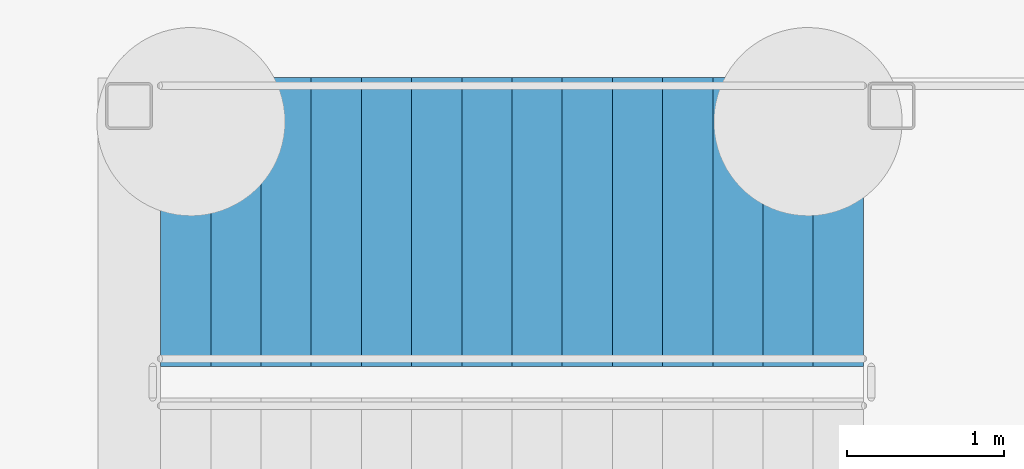
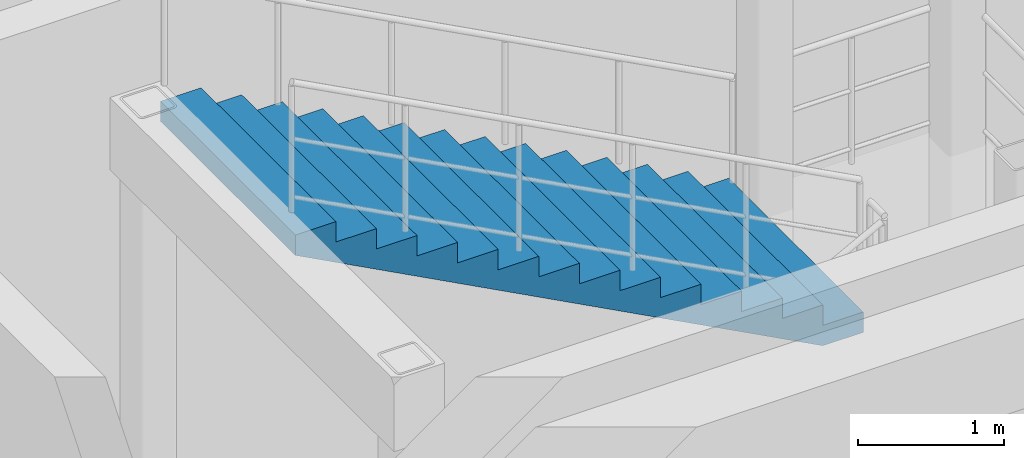
# One storey, part 52 of 62: 1 stair flight, 1 element without a shape of its own.
"""IFC4 building model written with IfcOpenShell, lengths in metres."""

from ifc_helpers import new_model, si_unit, direction, frame, origin, place, context, subcontext, project, spatial, polyline, outline, extrude, material, type_object, element, aggregate, save


model = new_model("IFC4")

# Units and contexts
model_context = context("Model", 3, precision=1e-05, world=origin(), true_north=direction((0.0, 1.0)))
body_context = subcontext(model_context, "Body", "Model", "MODEL_VIEW")
ifc_project = project(units=[si_unit("LENGTHUNIT", "METRE"), si_unit("AREAUNIT", "SQUARE_METRE"), si_unit("VOLUMEUNIT", "CUBIC_METRE"), si_unit("PLANEANGLEUNIT", "RADIAN"), si_unit("MASSUNIT", "GRAM", prefix="KILO")], contexts=[model_context])

# Site, building, storey
site_placement = place(None, origin())
site = spatial("IfcSite", under=ifc_project, at=site_placement, CompositionType="ELEMENT")
building_placement = place(site_placement, origin())
building = spatial("IfcBuilding", under=site, at=building_placement, Name="Miravela Opera House", CompositionType="ELEMENT")
storey_placement = place(building_placement, frame((0.0, 0.0, -5.10009765625)))
storey = spatial("IfcBuildingStorey", under=building, at=storey_placement, Name="B01", CompositionType="ELEMENT", Elevation=-5.10009765625)

# Stair, stair flight
ifc_material = material(Name="Concrete C35/45", Category="concrete")
stair_type = type_object("IfcStairType", Name="ARC-STAIR-WING-1680", PredefinedType="HALF_TURN_STAIR", material=ifc_material)
stair_placement = place(storey_placement, origin())
stair = element("IfcStair", 1, at=stair_placement, inside=storey, type_object=stair_type, Name="B01 East Rehearsal Wing Exit Stair ST-09", PredefinedType="HALF_TURN_STAIR")
stair_flight_type = type_object("IfcStairFlightType", Name="ARC-FLIGHT-WING-1680", PredefinedType="STRAIGHT", material=ifc_material)
stair_flight_placement = place(storey_placement, frame((125.219970703125, 106.860107421875, 2.550048828125), z_axis=(0.0, 0.0, 1.0), x_axis=(-1.0, 0.0, 0.0)))
stair_flight = element("IfcStairFlight", 2, at=stair_flight_placement, type_object=stair_flight_type, Name="ST-09 flight 2", NumberOfRisers=15, NumberOfTreads=14, PredefinedType="STRAIGHT", RiserHeight=0.17, TreadLength=0.32, context=body_context, shape_type="SweptSolid", body=[
    extrude(outline(polyline([(0.0, 0.0), (0.0, 0.169921875), (0.320068359375, 0.169921875), (0.320068359375, 0.340087890625), (0.639892578125, 0.340087890625), (0.639892578125, 0.510009765625), (0.9599609375, 0.510009765625), (0.9599609375, 0.679931640625), (1.280029296875, 0.679931640625), (1.280029296875, 0.85009765625), (1.60009765625, 0.85009765625), (1.60009765625, 1.02001953125), (1.919921875, 1.02001953125), (1.919921875, 1.18994140625), (2.239990234375, 1.18994140625), (2.239990234375, 1.360107421875), (2.56005859375, 1.360107421875), (2.56005859375, 1.530029296875), (2.8798828125, 1.530029296875), (2.8798828125, 1.699951171875), (3.199951171875, 1.699951171875), (3.199951171875, 1.8701171875), (3.52001953125, 1.8701171875), (3.52001953125, 2.0400390625), (3.840087890625, 2.0400390625), (3.840087890625, 2.2099609375), (4.159912109375, 2.2099609375), (4.159912109375, 2.3798828125), (4.47998046875, 2.3798828125), (4.47998046875, 2.550048828125), (4.47998046875, 2.210205078125), (0.319580078125, 0.0), (0.0, 0.0)])), frame((0.0, 0.919921875, 0.0), z_axis=(0.0, -1.0, 0.0), x_axis=(1.0, 0.0, 0.0)), (0.0, 0.0, 1.0), 1.840087890625),
])
aggregate(stair, [stair_flight])

save(model, "model.ifc")
